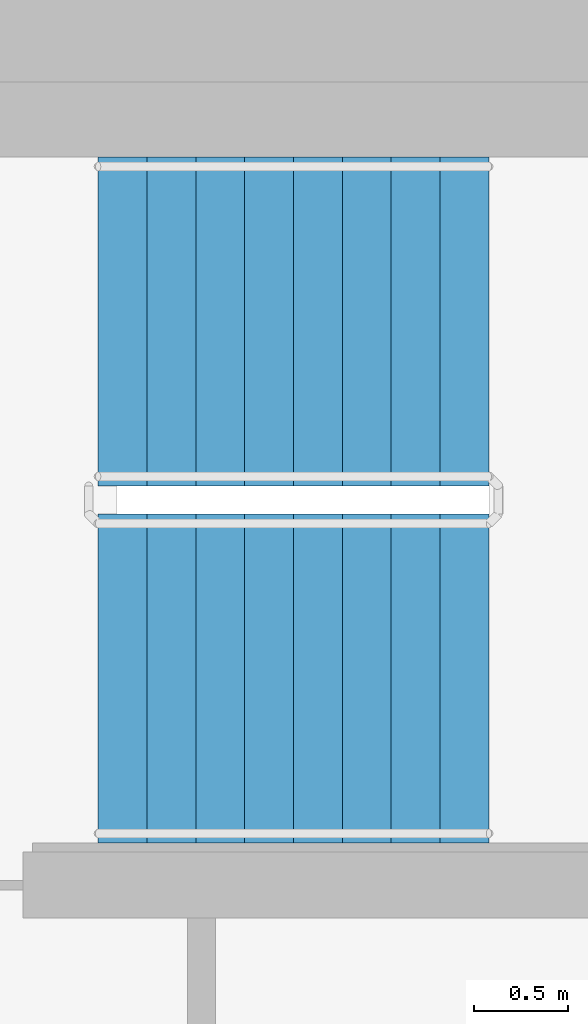
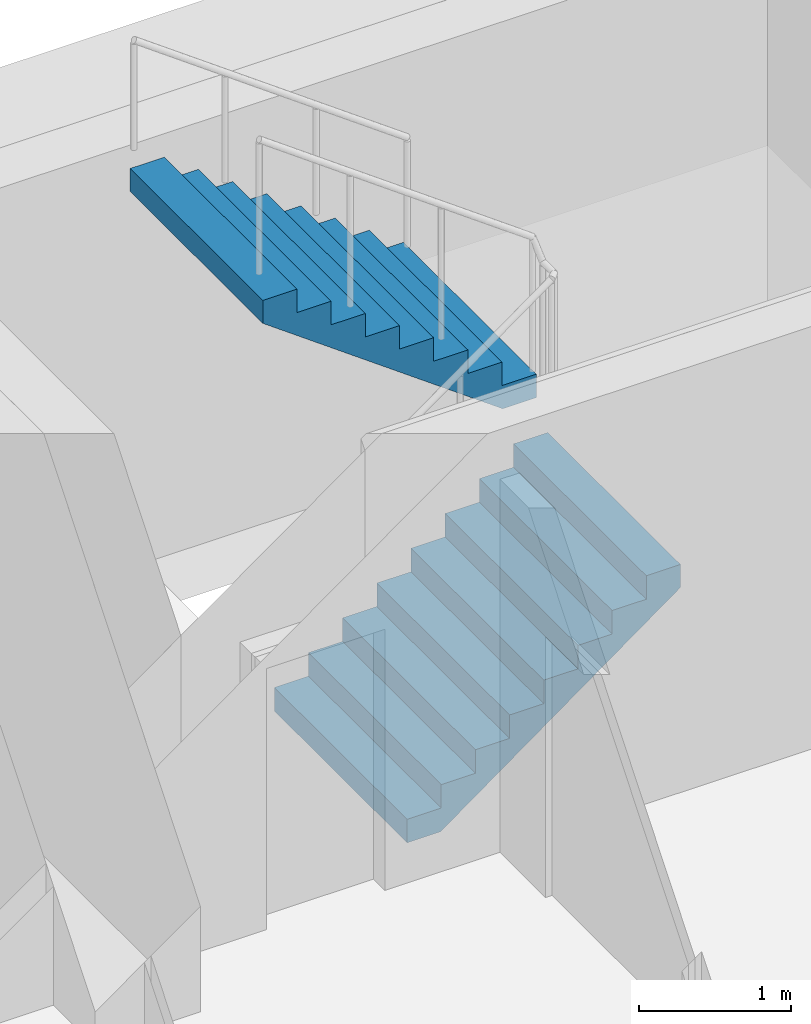
# One storey, part 15 of 20: 2 stair flights, 1 element without a shape of its own.
"""IFC4 building model written with IfcOpenShell, lengths in metres."""

from ifc_helpers import new_model, si_unit, direction, frame, origin, place, context, subcontext, project, spatial, faceted_brep, material, type_object, element, aggregate, save


model = new_model("IFC4")

# Units and contexts
model_context = context("Model", 3, precision=1e-05, world=origin(), true_north=direction((0.0, 1.0)))
body_context = subcontext(model_context, "Body", "Model", "MODEL_VIEW")
ifc_project = project(units=[si_unit("LENGTHUNIT", "METRE"), si_unit("AREAUNIT", "SQUARE_METRE"), si_unit("VOLUMEUNIT", "CUBIC_METRE"), si_unit("PLANEANGLEUNIT", "RADIAN"), si_unit("MASSUNIT", "GRAM", prefix="KILO")], contexts=[model_context])

# Site, building, storey
site_placement = place(None, origin())
site = spatial("IfcSite", under=ifc_project, at=site_placement, CompositionType="ELEMENT")
building_placement = place(site_placement, origin())
building = spatial("IfcBuilding", under=site, at=building_placement, Name="Ipe Terrace Towers", CompositionType="ELEMENT")
storey_placement = place(building_placement, frame((0.0, 0.0, 154.10009765625)))
storey = spatial("IfcBuildingStorey", under=building, at=storey_placement, Name="L42", CompositionType="ELEMENT", Elevation=154.10009765625)

# Stair, stair flights
ifc_material_1 = material(Name="Concrete C30/37", Category="concrete")
stair_type = type_object("IfcStairType", Name="Protected exit stair", PredefinedType="HALF_TURN_STAIR", material=ifc_material_1)
stair_placement = place(storey_placement, origin())
stair = element("IfcStair", 1, at=stair_placement, inside=storey, type_object=stair_type, Name="L42 Exit stair T1-C1", PredefinedType="HALF_TURN_STAIR")
ifc_material_2 = material(Name="Concrete C30/37", Category="concrete")
stair_flight_type = type_object("IfcStairFlightType", Name="Exit stair flight 1750", PredefinedType="STRAIGHT", material=ifc_material_2)
stair_flight_1_placement = place(storey_placement, frame((-26.300048828125, 2.77490234375, 0.0), z_axis=(0.0, 0.0, 1.0), x_axis=(1.0, 0.0, 0.0)))
stair_flight_1 = element("IfcStairFlight", 2, at=stair_flight_1_placement, type_object=stair_flight_type, Name="T1-ST1 flight 1", NumberOfRisers=9, NumberOfTreads=8, PredefinedType="STRAIGHT", RiserHeight=0.188888889, TreadLength=0.26, context=body_context, shape_type="Brep", body=[
    faceted_brep([(0.255126953125, -0.875, 0.0), (2.080078125, -0.875, 1.325927734375), (2.080078125, -0.875, 1.51123046875), (1.820068359375, -0.875, 1.51123046875), (1.820068359375, -0.875, 1.322265625), (1.56005859375, -0.875, 1.322265625), (1.56005859375, -0.875, 1.13330078125), (1.300048828125, -0.875, 1.13330078125), (1.300048828125, -0.875, 0.9443359375), (1.0400390625, -0.875, 0.9443359375), (1.0400390625, -0.875, 0.755615234375), (0.780029296875, -0.875, 0.755615234375), (0.780029296875, -0.875, 0.566650390625), (0.52001953125, -0.875, 0.566650390625), (0.52001953125, -0.875, 0.377685546875), (0.260009765625, -0.875, 0.377685546875), (0.260009765625, -0.875, 0.18896484375), (0.0, -0.875, 0.18896484375), (0.0, -0.875, 0.0), (0.0, 0.875, 0.0), (0.0, 0.875, 0.18896484375), (0.260009765625, 0.875, 0.18896484375), (0.260009765625, 0.875, 0.377685546875), (0.52001953125, 0.875, 0.377685546875), (0.52001953125, 0.875, 0.566650390625), (0.780029296875, 0.875, 0.566650390625), (0.780029296875, 0.875, 0.755615234375), (1.0400390625, 0.875, 0.755615234375), (1.0400390625, 0.875, 0.9443359375), (1.300048828125, 0.875, 0.9443359375), (1.300048828125, 0.875, 1.13330078125), (1.56005859375, 0.875, 1.13330078125), (1.56005859375, 0.875, 1.322265625), (1.820068359375, 0.875, 1.322265625), (1.820068359375, 0.875, 1.51123046875), (2.080078125, 0.875, 1.51123046875), (2.080078125, 0.875, 1.325927734375), (0.255126953125, 0.875, 0.0), (0.0, -0.300048828125, 0.18896484375), (0.0, -0.1201171875, 0.18896484375), (0.0, -0.06005859375, 0.18896484375), (0.0, -0.030029296875, 0.18896484375), (0.0, -0.010009765625, 0.18896484375), (0.0, 0.0, 0.18896484375), (0.0, 0.010009765625, 0.18896484375), (0.0, 0.030029296875, 0.18896484375), (0.0, 0.06005859375, 0.18896484375), (0.0, 0.1201171875, 0.18896484375), (0.0, 0.300048828125, 0.18896484375), (0.0, 0.300048828125, 0.0), (0.0, 0.1201171875, 0.0), (0.0, 0.06005859375, 0.0), (0.0, 0.030029296875, 0.0), (0.0, 0.010009765625, 0.0), (0.0, 0.0, 0.0), (0.0, -0.010009765625, 0.0), (0.0, -0.030029296875, 0.0), (0.0, -0.06005859375, 0.0), (0.0, -0.1201171875, 0.0), (0.0, -0.300048828125, 0.0), (0.260009765625, -0.300048828125, 0.18896484375), (0.260009765625, -0.1201171875, 0.18896484375), (0.260009765625, -0.06005859375, 0.18896484375), (0.260009765625, -0.030029296875, 0.18896484375), (0.260009765625, -0.010009765625, 0.18896484375), (0.260009765625, 0.0, 0.18896484375), (0.260009765625, 0.010009765625, 0.18896484375), (0.260009765625, 0.030029296875, 0.18896484375), (0.260009765625, 0.06005859375, 0.18896484375), (0.260009765625, 0.1201171875, 0.18896484375), (0.260009765625, 0.300048828125, 0.18896484375), (0.260009765625, -0.300048828125, 0.377685546875), (0.260009765625, -0.1201171875, 0.377685546875), (0.260009765625, -0.06005859375, 0.377685546875), (0.260009765625, -0.030029296875, 0.377685546875), (0.260009765625, -0.010009765625, 0.377685546875), (0.260009765625, 0.0, 0.377685546875), (0.260009765625, 0.010009765625, 0.377685546875), (0.260009765625, 0.030029296875, 0.377685546875), (0.260009765625, 0.06005859375, 0.377685546875), (0.260009765625, 0.1201171875, 0.377685546875), (0.260009765625, 0.300048828125, 0.377685546875), (0.52001953125, -0.300048828125, 0.377685546875), (0.52001953125, -0.1201171875, 0.377685546875), (0.52001953125, -0.06005859375, 0.377685546875), (0.52001953125, -0.030029296875, 0.377685546875), (0.52001953125, -0.010009765625, 0.377685546875), (0.52001953125, 0.0, 0.377685546875), (0.52001953125, 0.010009765625, 0.377685546875), (0.52001953125, 0.030029296875, 0.377685546875), (0.52001953125, 0.06005859375, 0.377685546875), (0.52001953125, 0.1201171875, 0.377685546875), (0.52001953125, 0.300048828125, 0.377685546875), (0.52001953125, -0.300048828125, 0.566650390625), (0.52001953125, -0.1201171875, 0.566650390625), (0.52001953125, -0.06005859375, 0.566650390625), (0.52001953125, -0.030029296875, 0.566650390625), (0.52001953125, -0.010009765625, 0.566650390625), (0.52001953125, 0.0, 0.566650390625), (0.52001953125, 0.010009765625, 0.566650390625), (0.52001953125, 0.030029296875, 0.566650390625), (0.52001953125, 0.06005859375, 0.566650390625), (0.52001953125, 0.1201171875, 0.566650390625), (0.52001953125, 0.300048828125, 0.566650390625), (0.780029296875, -0.300048828125, 0.566650390625), (0.780029296875, -0.1201171875, 0.566650390625), (0.780029296875, -0.06005859375, 0.566650390625), (0.780029296875, -0.030029296875, 0.566650390625), (0.780029296875, -0.010009765625, 0.566650390625), (0.780029296875, 0.0, 0.566650390625), (0.780029296875, 0.010009765625, 0.566650390625), (0.780029296875, 0.030029296875, 0.566650390625), (0.780029296875, 0.06005859375, 0.566650390625), (0.780029296875, 0.1201171875, 0.566650390625), (0.780029296875, 0.300048828125, 0.566650390625), (0.780029296875, -0.300048828125, 0.755615234375), (0.780029296875, -0.1201171875, 0.755615234375), (0.780029296875, -0.06005859375, 0.755615234375), (0.780029296875, -0.030029296875, 0.755615234375), (0.780029296875, -0.010009765625, 0.755615234375), (0.780029296875, 0.0, 0.755615234375), (0.780029296875, 0.010009765625, 0.755615234375), (0.780029296875, 0.030029296875, 0.755615234375), (0.780029296875, 0.06005859375, 0.755615234375), (0.780029296875, 0.1201171875, 0.755615234375), (0.780029296875, 0.300048828125, 0.755615234375), (1.0400390625, -0.300048828125, 0.755615234375), (1.0400390625, -0.1201171875, 0.755615234375), (1.0400390625, -0.06005859375, 0.755615234375), (1.0400390625, -0.030029296875, 0.755615234375), (1.0400390625, -0.010009765625, 0.755615234375), (1.0400390625, 0.0, 0.755615234375), (1.0400390625, 0.010009765625, 0.755615234375), (1.0400390625, 0.030029296875, 0.755615234375), (1.0400390625, 0.06005859375, 0.755615234375), (1.0400390625, 0.1201171875, 0.755615234375), (1.0400390625, 0.300048828125, 0.755615234375), (1.0400390625, -0.300048828125, 0.9443359375), (1.0400390625, -0.1201171875, 0.9443359375), (1.0400390625, -0.06005859375, 0.9443359375), (1.0400390625, -0.030029296875, 0.9443359375), (1.0400390625, -0.010009765625, 0.9443359375), (1.0400390625, 0.0, 0.9443359375), (1.0400390625, 0.010009765625, 0.9443359375), (1.0400390625, 0.030029296875, 0.9443359375), (1.0400390625, 0.06005859375, 0.9443359375), (1.0400390625, 0.1201171875, 0.9443359375), (1.0400390625, 0.300048828125, 0.9443359375), (1.300048828125, -0.300048828125, 0.9443359375), (1.300048828125, -0.1201171875, 0.9443359375), (1.300048828125, -0.06005859375, 0.9443359375), (1.300048828125, -0.030029296875, 0.9443359375), (1.300048828125, -0.010009765625, 0.9443359375), (1.300048828125, 0.0, 0.9443359375), (1.300048828125, 0.010009765625, 0.9443359375), (1.300048828125, 0.030029296875, 0.9443359375), (1.300048828125, 0.06005859375, 0.9443359375), (1.300048828125, 0.1201171875, 0.9443359375), (1.300048828125, 0.300048828125, 0.9443359375), (1.300048828125, -0.300048828125, 1.13330078125), (1.300048828125, -0.1201171875, 1.13330078125), (1.300048828125, -0.06005859375, 1.13330078125), (1.300048828125, -0.030029296875, 1.13330078125), (1.300048828125, -0.010009765625, 1.13330078125), (1.300048828125, 0.0, 1.13330078125), (1.300048828125, 0.010009765625, 1.13330078125), (1.300048828125, 0.030029296875, 1.13330078125), (1.300048828125, 0.06005859375, 1.13330078125), (1.300048828125, 0.1201171875, 1.13330078125), (1.300048828125, 0.300048828125, 1.13330078125), (1.56005859375, -0.300048828125, 1.13330078125), (1.56005859375, -0.1201171875, 1.13330078125), (1.56005859375, -0.06005859375, 1.13330078125), (1.56005859375, -0.030029296875, 1.13330078125), (1.56005859375, -0.010009765625, 1.13330078125), (1.56005859375, 0.0, 1.13330078125), (1.56005859375, 0.010009765625, 1.13330078125), (1.56005859375, 0.030029296875, 1.13330078125), (1.56005859375, 0.06005859375, 1.13330078125), (1.56005859375, 0.1201171875, 1.13330078125), (1.56005859375, 0.300048828125, 1.13330078125), (1.56005859375, -0.300048828125, 1.322265625), (1.56005859375, -0.1201171875, 1.322265625), (1.56005859375, -0.06005859375, 1.322265625), (1.56005859375, -0.030029296875, 1.322265625), (1.56005859375, -0.010009765625, 1.322265625), (1.56005859375, 0.0, 1.322265625), (1.56005859375, 0.010009765625, 1.322265625), (1.56005859375, 0.030029296875, 1.322265625), (1.56005859375, 0.06005859375, 1.322265625), (1.56005859375, 0.1201171875, 1.322265625), (1.56005859375, 0.300048828125, 1.322265625), (1.820068359375, -0.300048828125, 1.322265625), (1.820068359375, -0.1201171875, 1.322265625), (1.820068359375, -0.06005859375, 1.322265625), (1.820068359375, -0.030029296875, 1.322265625), (1.820068359375, -0.010009765625, 1.322265625), (1.820068359375, 0.0, 1.322265625), (1.820068359375, 0.010009765625, 1.322265625), (1.820068359375, 0.030029296875, 1.322265625), (1.820068359375, 0.06005859375, 1.322265625), (1.820068359375, 0.1201171875, 1.322265625), (1.820068359375, 0.300048828125, 1.322265625), (1.820068359375, -0.300048828125, 1.51123046875), (1.820068359375, -0.1201171875, 1.51123046875), (1.820068359375, -0.06005859375, 1.51123046875), (1.820068359375, -0.030029296875, 1.51123046875), (1.820068359375, -0.010009765625, 1.51123046875), (1.820068359375, 0.0, 1.51123046875), (1.820068359375, 0.010009765625, 1.51123046875), (1.820068359375, 0.030029296875, 1.51123046875), (1.820068359375, 0.06005859375, 1.51123046875), (1.820068359375, 0.1201171875, 1.51123046875), (1.820068359375, 0.300048828125, 1.51123046875), (2.080078125, -0.300048828125, 1.51123046875), (2.080078125, -0.1201171875, 1.51123046875), (2.080078125, -0.06005859375, 1.51123046875), (2.080078125, -0.030029296875, 1.51123046875), (2.080078125, -0.010009765625, 1.51123046875), (2.080078125, 0.0, 1.51123046875), (2.080078125, 0.010009765625, 1.51123046875), (2.080078125, 0.030029296875, 1.51123046875), (2.080078125, 0.06005859375, 1.51123046875), (2.080078125, 0.1201171875, 1.51123046875), (2.080078125, 0.300048828125, 1.51123046875), (2.080078125, -0.300048828125, 1.325927734375), (2.080078125, -0.1201171875, 1.325927734375), (2.080078125, -0.06005859375, 1.325927734375), (2.080078125, -0.030029296875, 1.325927734375), (2.080078125, -0.010009765625, 1.325927734375), (2.080078125, 0.0, 1.325927734375), (2.080078125, 0.010009765625, 1.325927734375), (2.080078125, 0.030029296875, 1.325927734375), (2.080078125, 0.06005859375, 1.325927734375), (2.080078125, 0.1201171875, 1.325927734375), (2.080078125, 0.300048828125, 1.325927734375), (0.255126953125, -0.300048828125, 0.0), (0.255126953125, -0.1201171875, 0.0), (0.255126953125, -0.06005859375, 0.0), (0.255126953125, -0.030029296875, 0.0), (0.255126953125, -0.010009765625, 0.0), (0.255126953125, 0.0, 0.0), (0.255126953125, 0.010009765625, 0.0), (0.255126953125, 0.030029296875, 0.0), (0.255126953125, 0.06005859375, 0.0), (0.255126953125, 0.1201171875, 0.0), (0.255126953125, 0.300048828125, 0.0)], [[[0, 1, 2, 3, 4, 5, 6, 7, 8, 9, 10, 11, 12, 13, 14, 15, 16, 17, 18]], [[19, 20, 21, 22, 23, 24, 25, 26, 27, 28, 29, 30, 31, 32, 33, 34, 35, 36, 37]], [[17, 38, 39, 40, 41, 42, 43, 44, 45, 46, 47, 48, 20, 19, 49, 50, 51, 52, 53, 54, 55, 56, 57, 58, 59, 18]], [[16, 60, 61, 62, 63, 64, 65, 66, 67, 68, 69, 70, 21, 20, 48, 47, 46, 45, 44, 43, 42, 41, 40, 39, 38, 17]], [[15, 71, 72, 73, 74, 75, 76, 77, 78, 79, 80, 81, 22, 21, 70, 69, 68, 67, 66, 65, 64, 63, 62, 61, 60, 16]], [[14, 82, 83, 84, 85, 86, 87, 88, 89, 90, 91, 92, 23, 22, 81, 80, 79, 78, 77, 76, 75, 74, 73, 72, 71, 15]], [[13, 93, 94, 95, 96, 97, 98, 99, 100, 101, 102, 103, 24, 23, 92, 91, 90, 89, 88, 87, 86, 85, 84, 83, 82, 14]], [[12, 104, 105, 106, 107, 108, 109, 110, 111, 112, 113, 114, 25, 24, 103, 102, 101, 100, 99, 98, 97, 96, 95, 94, 93, 13]], [[11, 115, 116, 117, 118, 119, 120, 121, 122, 123, 124, 125, 26, 25, 114, 113, 112, 111, 110, 109, 108, 107, 106, 105, 104, 12]], [[10, 126, 127, 128, 129, 130, 131, 132, 133, 134, 135, 136, 27, 26, 125, 124, 123, 122, 121, 120, 119, 118, 117, 116, 115, 11]], [[9, 137, 138, 139, 140, 141, 142, 143, 144, 145, 146, 147, 28, 27, 136, 135, 134, 133, 132, 131, 130, 129, 128, 127, 126, 10]], [[8, 148, 149, 150, 151, 152, 153, 154, 155, 156, 157, 158, 29, 28, 147, 146, 145, 144, 143, 142, 141, 140, 139, 138, 137, 9]], [[7, 159, 160, 161, 162, 163, 164, 165, 166, 167, 168, 169, 30, 29, 158, 157, 156, 155, 154, 153, 152, 151, 150, 149, 148, 8]], [[6, 170, 171, 172, 173, 174, 175, 176, 177, 178, 179, 180, 31, 30, 169, 168, 167, 166, 165, 164, 163, 162, 161, 160, 159, 7]], [[5, 181, 182, 183, 184, 185, 186, 187, 188, 189, 190, 191, 32, 31, 180, 179, 178, 177, 176, 175, 174, 173, 172, 171, 170, 6]], [[4, 192, 193, 194, 195, 196, 197, 198, 199, 200, 201, 202, 33, 32, 191, 190, 189, 188, 187, 186, 185, 184, 183, 182, 181, 5]], [[3, 203, 204, 205, 206, 207, 208, 209, 210, 211, 212, 213, 34, 33, 202, 201, 200, 199, 198, 197, 196, 195, 194, 193, 192, 4]], [[2, 214, 215, 216, 217, 218, 219, 220, 221, 222, 223, 224, 35, 34, 213, 212, 211, 210, 209, 208, 207, 206, 205, 204, 203, 3]], [[1, 225, 226, 227, 228, 229, 230, 231, 232, 233, 234, 235, 36, 35, 224, 223, 222, 221, 220, 219, 218, 217, 216, 215, 214, 2]], [[0, 236, 237, 238, 239, 240, 241, 242, 243, 244, 245, 246, 37, 36, 235, 234, 233, 232, 231, 230, 229, 228, 227, 226, 225, 1]], [[18, 59, 58, 57, 56, 55, 54, 53, 52, 51, 50, 49, 19, 37, 246, 245, 244, 243, 242, 241, 240, 239, 238, 237, 236, 0]]]),
])
stair_flight_2_placement = place(storey_placement, frame((-24.219970703125, 4.675048828125, 1.699951171875), z_axis=(0.0, 0.0, 1.0), x_axis=(-1.0, 0.0, 0.0)))
stair_flight_2 = element("IfcStairFlight", 3, at=stair_flight_2_placement, type_object=stair_flight_type, Name="T1-ST1 flight 2", NumberOfRisers=9, NumberOfTreads=8, PredefinedType="STRAIGHT", RiserHeight=0.188888889, TreadLength=0.26, context=body_context, shape_type="Brep", body=[
    faceted_brep([(0.255126953125, -0.875, 0.0), (2.080078125, -0.875, 1.325927734375), (2.080078125, -0.875, 1.51123046875), (1.820068359375, -0.875, 1.51123046875), (1.820068359375, -0.875, 1.322265625), (1.56005859375, -0.875, 1.322265625), (1.56005859375, -0.875, 1.13330078125), (1.300048828125, -0.875, 1.13330078125), (1.300048828125, -0.875, 0.9443359375), (1.0400390625, -0.875, 0.9443359375), (1.0400390625, -0.875, 0.755615234375), (0.780029296875, -0.875, 0.755615234375), (0.780029296875, -0.875, 0.566650390625), (0.52001953125, -0.875, 0.566650390625), (0.52001953125, -0.875, 0.377685546875), (0.260009765625, -0.875, 0.377685546875), (0.260009765625, -0.875, 0.18896484375), (0.0, -0.875, 0.18896484375), (0.0, -0.875, 0.0), (0.0, 0.875, 0.0), (0.0, 0.875, 0.18896484375), (0.260009765625, 0.875, 0.18896484375), (0.260009765625, 0.875, 0.377685546875), (0.52001953125, 0.875, 0.377685546875), (0.52001953125, 0.875, 0.566650390625), (0.780029296875, 0.875, 0.566650390625), (0.780029296875, 0.875, 0.755615234375), (1.0400390625, 0.875, 0.755615234375), (1.0400390625, 0.875, 0.9443359375), (1.300048828125, 0.875, 0.9443359375), (1.300048828125, 0.875, 1.13330078125), (1.56005859375, 0.875, 1.13330078125), (1.56005859375, 0.875, 1.322265625), (1.820068359375, 0.875, 1.322265625), (1.820068359375, 0.875, 1.51123046875), (2.080078125, 0.875, 1.51123046875), (2.080078125, 0.875, 1.325927734375), (0.255126953125, 0.875, 0.0), (0.0, -0.300048828125, 0.18896484375), (0.0, -0.1201171875, 0.18896484375), (0.0, -0.06005859375, 0.18896484375), (0.0, -0.030029296875, 0.18896484375), (0.0, -0.010009765625, 0.18896484375), (0.0, 0.0, 0.18896484375), (0.0, 0.010009765625, 0.18896484375), (0.0, 0.030029296875, 0.18896484375), (0.0, 0.06005859375, 0.18896484375), (0.0, 0.1201171875, 0.18896484375), (0.0, 0.300048828125, 0.18896484375), (0.0, 0.300048828125, 0.0), (0.0, 0.1201171875, 0.0), (0.0, 0.06005859375, 0.0), (0.0, 0.030029296875, 0.0), (0.0, 0.010009765625, 0.0), (0.0, 0.0, 0.0), (0.0, -0.010009765625, 0.0), (0.0, -0.030029296875, 0.0), (0.0, -0.06005859375, 0.0), (0.0, -0.1201171875, 0.0), (0.0, -0.300048828125, 0.0), (0.260009765625, -0.300048828125, 0.18896484375), (0.260009765625, -0.1201171875, 0.18896484375), (0.260009765625, -0.06005859375, 0.18896484375), (0.260009765625, -0.030029296875, 0.18896484375), (0.260009765625, -0.010009765625, 0.18896484375), (0.260009765625, 0.0, 0.18896484375), (0.260009765625, 0.010009765625, 0.18896484375), (0.260009765625, 0.030029296875, 0.18896484375), (0.260009765625, 0.06005859375, 0.18896484375), (0.260009765625, 0.1201171875, 0.18896484375), (0.260009765625, 0.300048828125, 0.18896484375), (0.260009765625, -0.300048828125, 0.377685546875), (0.260009765625, -0.1201171875, 0.377685546875), (0.260009765625, -0.06005859375, 0.377685546875), (0.260009765625, -0.030029296875, 0.377685546875), (0.260009765625, -0.010009765625, 0.377685546875), (0.260009765625, 0.0, 0.377685546875), (0.260009765625, 0.010009765625, 0.377685546875), (0.260009765625, 0.030029296875, 0.377685546875), (0.260009765625, 0.06005859375, 0.377685546875), (0.260009765625, 0.1201171875, 0.377685546875), (0.260009765625, 0.300048828125, 0.377685546875), (0.52001953125, -0.300048828125, 0.377685546875), (0.52001953125, -0.1201171875, 0.377685546875), (0.52001953125, -0.06005859375, 0.377685546875), (0.52001953125, -0.030029296875, 0.377685546875), (0.52001953125, -0.010009765625, 0.377685546875), (0.52001953125, 0.0, 0.377685546875), (0.52001953125, 0.010009765625, 0.377685546875), (0.52001953125, 0.030029296875, 0.377685546875), (0.52001953125, 0.06005859375, 0.377685546875), (0.52001953125, 0.1201171875, 0.377685546875), (0.52001953125, 0.300048828125, 0.377685546875), (0.52001953125, -0.300048828125, 0.566650390625), (0.52001953125, -0.1201171875, 0.566650390625), (0.52001953125, -0.06005859375, 0.566650390625), (0.52001953125, -0.030029296875, 0.566650390625), (0.52001953125, -0.010009765625, 0.566650390625), (0.52001953125, 0.0, 0.566650390625), (0.52001953125, 0.010009765625, 0.566650390625), (0.52001953125, 0.030029296875, 0.566650390625), (0.52001953125, 0.06005859375, 0.566650390625), (0.52001953125, 0.1201171875, 0.566650390625), (0.52001953125, 0.300048828125, 0.566650390625), (0.780029296875, -0.300048828125, 0.566650390625), (0.780029296875, -0.1201171875, 0.566650390625), (0.780029296875, -0.06005859375, 0.566650390625), (0.780029296875, -0.030029296875, 0.566650390625), (0.780029296875, -0.010009765625, 0.566650390625), (0.780029296875, 0.0, 0.566650390625), (0.780029296875, 0.010009765625, 0.566650390625), (0.780029296875, 0.030029296875, 0.566650390625), (0.780029296875, 0.06005859375, 0.566650390625), (0.780029296875, 0.1201171875, 0.566650390625), (0.780029296875, 0.300048828125, 0.566650390625), (0.780029296875, -0.300048828125, 0.755615234375), (0.780029296875, -0.1201171875, 0.755615234375), (0.780029296875, -0.06005859375, 0.755615234375), (0.780029296875, -0.030029296875, 0.755615234375), (0.780029296875, -0.010009765625, 0.755615234375), (0.780029296875, 0.0, 0.755615234375), (0.780029296875, 0.010009765625, 0.755615234375), (0.780029296875, 0.030029296875, 0.755615234375), (0.780029296875, 0.06005859375, 0.755615234375), (0.780029296875, 0.1201171875, 0.755615234375), (0.780029296875, 0.300048828125, 0.755615234375), (1.0400390625, -0.300048828125, 0.755615234375), (1.0400390625, -0.1201171875, 0.755615234375), (1.0400390625, -0.06005859375, 0.755615234375), (1.0400390625, -0.030029296875, 0.755615234375), (1.0400390625, -0.010009765625, 0.755615234375), (1.0400390625, 0.0, 0.755615234375), (1.0400390625, 0.010009765625, 0.755615234375), (1.0400390625, 0.030029296875, 0.755615234375), (1.0400390625, 0.06005859375, 0.755615234375), (1.0400390625, 0.1201171875, 0.755615234375), (1.0400390625, 0.300048828125, 0.755615234375), (1.0400390625, -0.300048828125, 0.9443359375), (1.0400390625, -0.1201171875, 0.9443359375), (1.0400390625, -0.06005859375, 0.9443359375), (1.0400390625, -0.030029296875, 0.9443359375), (1.0400390625, -0.010009765625, 0.9443359375), (1.0400390625, 0.0, 0.9443359375), (1.0400390625, 0.010009765625, 0.9443359375), (1.0400390625, 0.030029296875, 0.9443359375), (1.0400390625, 0.06005859375, 0.9443359375), (1.0400390625, 0.1201171875, 0.9443359375), (1.0400390625, 0.300048828125, 0.9443359375), (1.300048828125, -0.300048828125, 0.9443359375), (1.300048828125, -0.1201171875, 0.9443359375), (1.300048828125, -0.06005859375, 0.9443359375), (1.300048828125, -0.030029296875, 0.9443359375), (1.300048828125, -0.010009765625, 0.9443359375), (1.300048828125, 0.0, 0.9443359375), (1.300048828125, 0.010009765625, 0.9443359375), (1.300048828125, 0.030029296875, 0.9443359375), (1.300048828125, 0.06005859375, 0.9443359375), (1.300048828125, 0.1201171875, 0.9443359375), (1.300048828125, 0.300048828125, 0.9443359375), (1.300048828125, -0.300048828125, 1.13330078125), (1.300048828125, -0.1201171875, 1.13330078125), (1.300048828125, -0.06005859375, 1.13330078125), (1.300048828125, -0.030029296875, 1.13330078125), (1.300048828125, -0.010009765625, 1.13330078125), (1.300048828125, 0.0, 1.13330078125), (1.300048828125, 0.010009765625, 1.13330078125), (1.300048828125, 0.030029296875, 1.13330078125), (1.300048828125, 0.06005859375, 1.13330078125), (1.300048828125, 0.1201171875, 1.13330078125), (1.300048828125, 0.300048828125, 1.13330078125), (1.56005859375, -0.300048828125, 1.13330078125), (1.56005859375, -0.1201171875, 1.13330078125), (1.56005859375, -0.06005859375, 1.13330078125), (1.56005859375, -0.030029296875, 1.13330078125), (1.56005859375, -0.010009765625, 1.13330078125), (1.56005859375, 0.0, 1.13330078125), (1.56005859375, 0.010009765625, 1.13330078125), (1.56005859375, 0.030029296875, 1.13330078125), (1.56005859375, 0.06005859375, 1.13330078125), (1.56005859375, 0.1201171875, 1.13330078125), (1.56005859375, 0.300048828125, 1.13330078125), (1.56005859375, -0.300048828125, 1.322265625), (1.56005859375, -0.1201171875, 1.322265625), (1.56005859375, -0.06005859375, 1.322265625), (1.56005859375, -0.030029296875, 1.322265625), (1.56005859375, -0.010009765625, 1.322265625), (1.56005859375, 0.0, 1.322265625), (1.56005859375, 0.010009765625, 1.322265625), (1.56005859375, 0.030029296875, 1.322265625), (1.56005859375, 0.06005859375, 1.322265625), (1.56005859375, 0.1201171875, 1.322265625), (1.56005859375, 0.300048828125, 1.322265625), (1.820068359375, -0.300048828125, 1.322265625), (1.820068359375, -0.1201171875, 1.322265625), (1.820068359375, -0.06005859375, 1.322265625), (1.820068359375, -0.030029296875, 1.322265625), (1.820068359375, -0.010009765625, 1.322265625), (1.820068359375, 0.0, 1.322265625), (1.820068359375, 0.010009765625, 1.322265625), (1.820068359375, 0.030029296875, 1.322265625), (1.820068359375, 0.06005859375, 1.322265625), (1.820068359375, 0.1201171875, 1.322265625), (1.820068359375, 0.300048828125, 1.322265625), (1.820068359375, -0.300048828125, 1.51123046875), (1.820068359375, -0.1201171875, 1.51123046875), (1.820068359375, -0.06005859375, 1.51123046875), (1.820068359375, -0.030029296875, 1.51123046875), (1.820068359375, -0.010009765625, 1.51123046875), (1.820068359375, 0.0, 1.51123046875), (1.820068359375, 0.010009765625, 1.51123046875), (1.820068359375, 0.030029296875, 1.51123046875), (1.820068359375, 0.06005859375, 1.51123046875), (1.820068359375, 0.1201171875, 1.51123046875), (1.820068359375, 0.300048828125, 1.51123046875), (2.080078125, -0.300048828125, 1.51123046875), (2.080078125, -0.1201171875, 1.51123046875), (2.080078125, -0.06005859375, 1.51123046875), (2.080078125, -0.030029296875, 1.51123046875), (2.080078125, -0.010009765625, 1.51123046875), (2.080078125, 0.0, 1.51123046875), (2.080078125, 0.010009765625, 1.51123046875), (2.080078125, 0.030029296875, 1.51123046875), (2.080078125, 0.06005859375, 1.51123046875), (2.080078125, 0.1201171875, 1.51123046875), (2.080078125, 0.300048828125, 1.51123046875), (2.080078125, -0.300048828125, 1.325927734375), (2.080078125, -0.1201171875, 1.325927734375), (2.080078125, -0.06005859375, 1.325927734375), (2.080078125, -0.030029296875, 1.325927734375), (2.080078125, -0.010009765625, 1.325927734375), (2.080078125, 0.0, 1.325927734375), (2.080078125, 0.010009765625, 1.325927734375), (2.080078125, 0.030029296875, 1.325927734375), (2.080078125, 0.06005859375, 1.325927734375), (2.080078125, 0.1201171875, 1.325927734375), (2.080078125, 0.300048828125, 1.325927734375), (0.255126953125, -0.300048828125, 0.0), (0.255126953125, -0.1201171875, 0.0), (0.255126953125, -0.06005859375, 0.0), (0.255126953125, -0.030029296875, 0.0), (0.255126953125, -0.010009765625, 0.0), (0.255126953125, 0.0, 0.0), (0.255126953125, 0.010009765625, 0.0), (0.255126953125, 0.030029296875, 0.0), (0.255126953125, 0.06005859375, 0.0), (0.255126953125, 0.1201171875, 0.0), (0.255126953125, 0.300048828125, 0.0)], [[[0, 1, 2, 3, 4, 5, 6, 7, 8, 9, 10, 11, 12, 13, 14, 15, 16, 17, 18]], [[19, 20, 21, 22, 23, 24, 25, 26, 27, 28, 29, 30, 31, 32, 33, 34, 35, 36, 37]], [[17, 38, 39, 40, 41, 42, 43, 44, 45, 46, 47, 48, 20, 19, 49, 50, 51, 52, 53, 54, 55, 56, 57, 58, 59, 18]], [[16, 60, 61, 62, 63, 64, 65, 66, 67, 68, 69, 70, 21, 20, 48, 47, 46, 45, 44, 43, 42, 41, 40, 39, 38, 17]], [[15, 71, 72, 73, 74, 75, 76, 77, 78, 79, 80, 81, 22, 21, 70, 69, 68, 67, 66, 65, 64, 63, 62, 61, 60, 16]], [[14, 82, 83, 84, 85, 86, 87, 88, 89, 90, 91, 92, 23, 22, 81, 80, 79, 78, 77, 76, 75, 74, 73, 72, 71, 15]], [[13, 93, 94, 95, 96, 97, 98, 99, 100, 101, 102, 103, 24, 23, 92, 91, 90, 89, 88, 87, 86, 85, 84, 83, 82, 14]], [[12, 104, 105, 106, 107, 108, 109, 110, 111, 112, 113, 114, 25, 24, 103, 102, 101, 100, 99, 98, 97, 96, 95, 94, 93, 13]], [[11, 115, 116, 117, 118, 119, 120, 121, 122, 123, 124, 125, 26, 25, 114, 113, 112, 111, 110, 109, 108, 107, 106, 105, 104, 12]], [[10, 126, 127, 128, 129, 130, 131, 132, 133, 134, 135, 136, 27, 26, 125, 124, 123, 122, 121, 120, 119, 118, 117, 116, 115, 11]], [[9, 137, 138, 139, 140, 141, 142, 143, 144, 145, 146, 147, 28, 27, 136, 135, 134, 133, 132, 131, 130, 129, 128, 127, 126, 10]], [[8, 148, 149, 150, 151, 152, 153, 154, 155, 156, 157, 158, 29, 28, 147, 146, 145, 144, 143, 142, 141, 140, 139, 138, 137, 9]], [[7, 159, 160, 161, 162, 163, 164, 165, 166, 167, 168, 169, 30, 29, 158, 157, 156, 155, 154, 153, 152, 151, 150, 149, 148, 8]], [[6, 170, 171, 172, 173, 174, 175, 176, 177, 178, 179, 180, 31, 30, 169, 168, 167, 166, 165, 164, 163, 162, 161, 160, 159, 7]], [[5, 181, 182, 183, 184, 185, 186, 187, 188, 189, 190, 191, 32, 31, 180, 179, 178, 177, 176, 175, 174, 173, 172, 171, 170, 6]], [[4, 192, 193, 194, 195, 196, 197, 198, 199, 200, 201, 202, 33, 32, 191, 190, 189, 188, 187, 186, 185, 184, 183, 182, 181, 5]], [[3, 203, 204, 205, 206, 207, 208, 209, 210, 211, 212, 213, 34, 33, 202, 201, 200, 199, 198, 197, 196, 195, 194, 193, 192, 4]], [[2, 214, 215, 216, 217, 218, 219, 220, 221, 222, 223, 224, 35, 34, 213, 212, 211, 210, 209, 208, 207, 206, 205, 204, 203, 3]], [[1, 225, 226, 227, 228, 229, 230, 231, 232, 233, 234, 235, 36, 35, 224, 223, 222, 221, 220, 219, 218, 217, 216, 215, 214, 2]], [[0, 236, 237, 238, 239, 240, 241, 242, 243, 244, 245, 246, 37, 36, 235, 234, 233, 232, 231, 230, 229, 228, 227, 226, 225, 1]], [[18, 59, 58, 57, 56, 55, 54, 53, 52, 51, 50, 49, 19, 37, 246, 245, 244, 243, 242, 241, 240, 239, 238, 237, 236, 0]]]),
])
aggregate(stair, [stair_flight_1, stair_flight_2])

save(model, "model.ifc")
